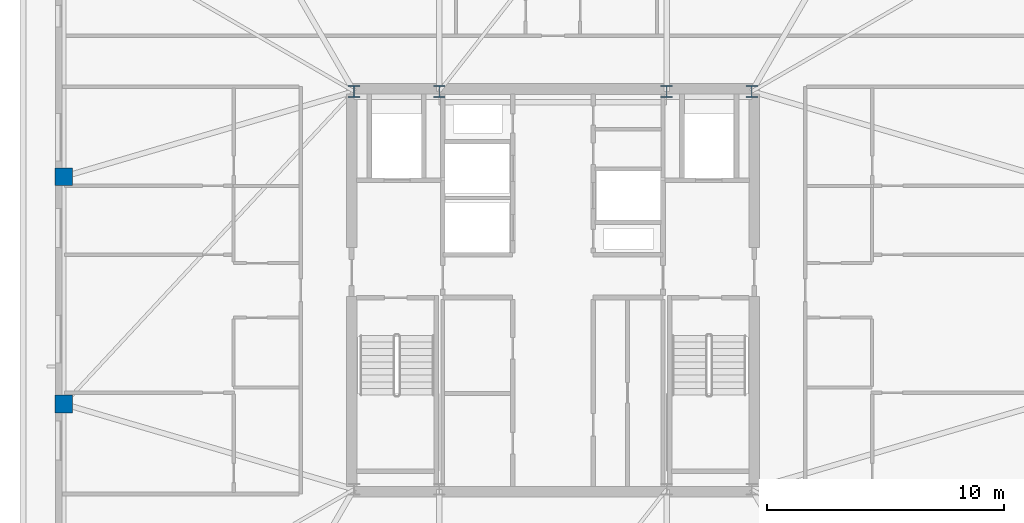
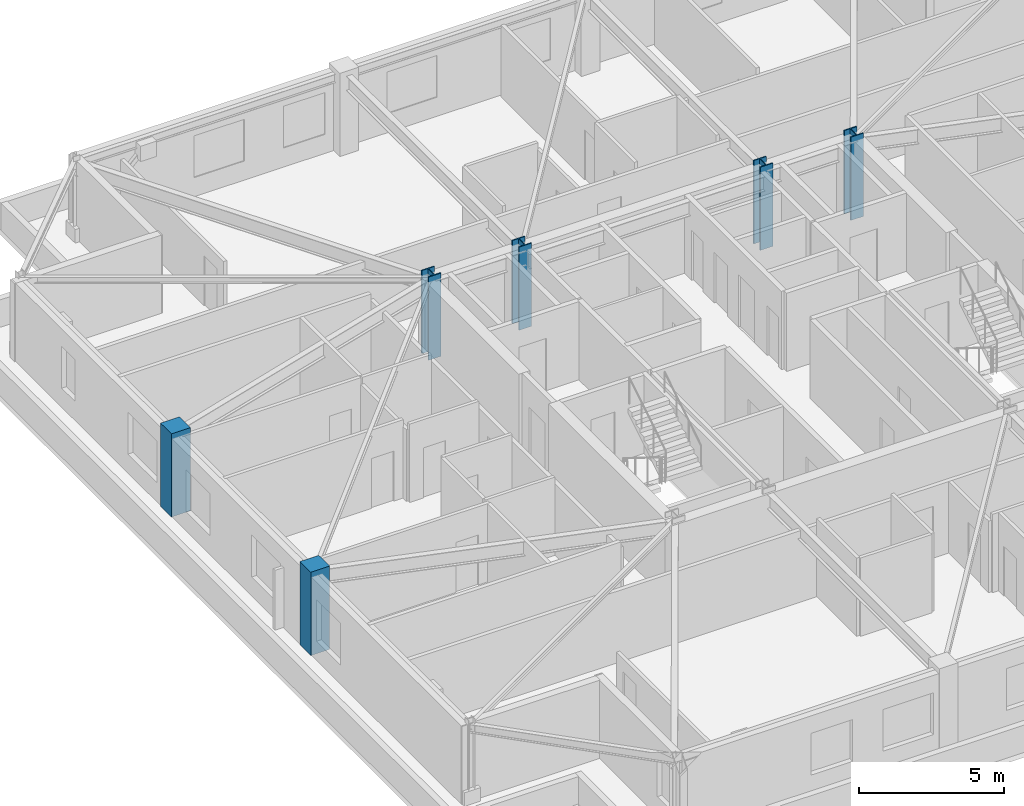
# One storey, part 2 of 15: 6 columns.
"""IFC4 building model written with IfcOpenShell, lengths in metres."""

from ifc_helpers import new_model, si_unit, direction, frame, origin, origin_2d, place, context, subcontext, project, spatial, rectangle, i_section, extrude, material, material_profile, profile_set, type_object, element, save


model = new_model("IFC4")

# Units and contexts
model_context = context("Model", 3, precision=1e-05, world=origin(), true_north=direction((0.0, 1.0)))
body_context = subcontext(model_context, "Body", "Model", "MODEL_VIEW")
ifc_project = project(units=[si_unit("LENGTHUNIT", "METRE"), si_unit("AREAUNIT", "SQUARE_METRE"), si_unit("VOLUMEUNIT", "CUBIC_METRE"), si_unit("PLANEANGLEUNIT", "RADIAN"), si_unit("MASSUNIT", "GRAM", prefix="KILO")], contexts=[model_context])

# Site, building, storey
site_placement = place(None, origin())
site = spatial("IfcSite", under=ifc_project, at=site_placement, CompositionType="ELEMENT")
building_placement = place(site_placement, origin())
building = spatial("IfcBuilding", under=site, at=building_placement, Name="Cairnveth Concourse Tower", CompositionType="ELEMENT")
storey_placement = place(building_placement, frame((0.0, 0.0, 280.5)))
storey = spatial("IfcBuildingStorey", under=building, at=storey_placement, Name="L77", CompositionType="ELEMENT", Elevation=280.5)

# Columns
ifc_material_1 = material(Name="Concrete N50 (50 MPa)", Category="concrete")
ifc_material_profile_1 = material_profile(ifc_material_1, rectangle(XDim=0.75, YDim=0.75, at=origin_2d()), Name="RC-COL-750x750")
ifc_profile_set_1 = profile_set([ifc_material_profile_1], Name="Concrete N50 (50 MPa)")
column_type_1 = type_object("IfcColumnType", Name="PERIMETER PIER COLUMN 750X750", PredefinedType="COLUMN", material=ifc_profile_set_1)
for number, where, z_axis, x_axis, name in (
    (1, (31.35009765625, 43.800048828125, 0.0), (0.0, 0.0, 1.0), (0.0, 1.0, 0.0), "Column P-W2 L77"),
    (2, (31.35009765625, 34.199951171875, 0.0), (0.0, 0.0, 1.0), (0.0, 1.0, 0.0), "Column P-W3 L77"),
):
    element("IfcColumn", number, at=place(storey_placement, frame(where, z_axis=z_axis, x_axis=x_axis)), inside=storey, type_object=column_type_1, Name=name, PredefinedType="COLUMN", context=body_context, shape_type="SweptSolid", body=[
        extrude(rectangle(XDim=0.75, YDim=0.75, at=origin_2d()), origin(), (0.0, 0.0, 1.0), 3.5),
    ])
ifc_material_2 = material(Name="Steel Grade 350", Category="steel")
ifc_material_profile_2 = material_profile(ifc_material_2, i_section(OverallWidth=0.5, OverallDepth=0.5, WebThickness=0.028076171875, FlangeThickness=0.044921875, at=origin_2d()), Name="500WC383")
ifc_profile_set_2 = profile_set([ifc_material_profile_2], Name="Steel Grade 350")
column_type_2 = type_object("IfcColumnType", Name="WELDED STEEL COLUMN 500WC383", PredefinedType="COLUMN", material=ifc_profile_set_2)
for number, where, z_axis, x_axis, name in (
    (3, (43.60009765625, 47.39990234375, 0.0), (0.0, 0.0, 1.0), (1.0, 0.0, 0.0), "Column CC5 L77"),
    (4, (47.199951171875, 47.39990234375, 0.0), (0.0, 0.0, 1.0), (1.0, 0.0, 0.0), "Column CC6 L77"),
    (5, (56.800048828125, 47.39990234375, 0.0), (0.0, 0.0, 1.0), (1.0, 0.0, 0.0), "Column CC7 L77"),
    (6, (60.39990234375, 47.39990234375, 0.0), (0.0, 0.0, 1.0), (1.0, 0.0, 0.0), "Column CC8 L77"),
):
    element("IfcColumn", number, at=place(storey_placement, frame(where, z_axis=z_axis, x_axis=x_axis)), inside=storey, type_object=column_type_2, Name=name, PredefinedType="COLUMN", context=body_context, shape_type="SweptSolid", body=[
        extrude(i_section(OverallWidth=0.5, OverallDepth=0.5, WebThickness=0.028076171875, FlangeThickness=0.044921875, at=origin_2d()), origin(), (0.0, 0.0, 1.0), 3.5),
    ])

save(model, "model.ifc")
